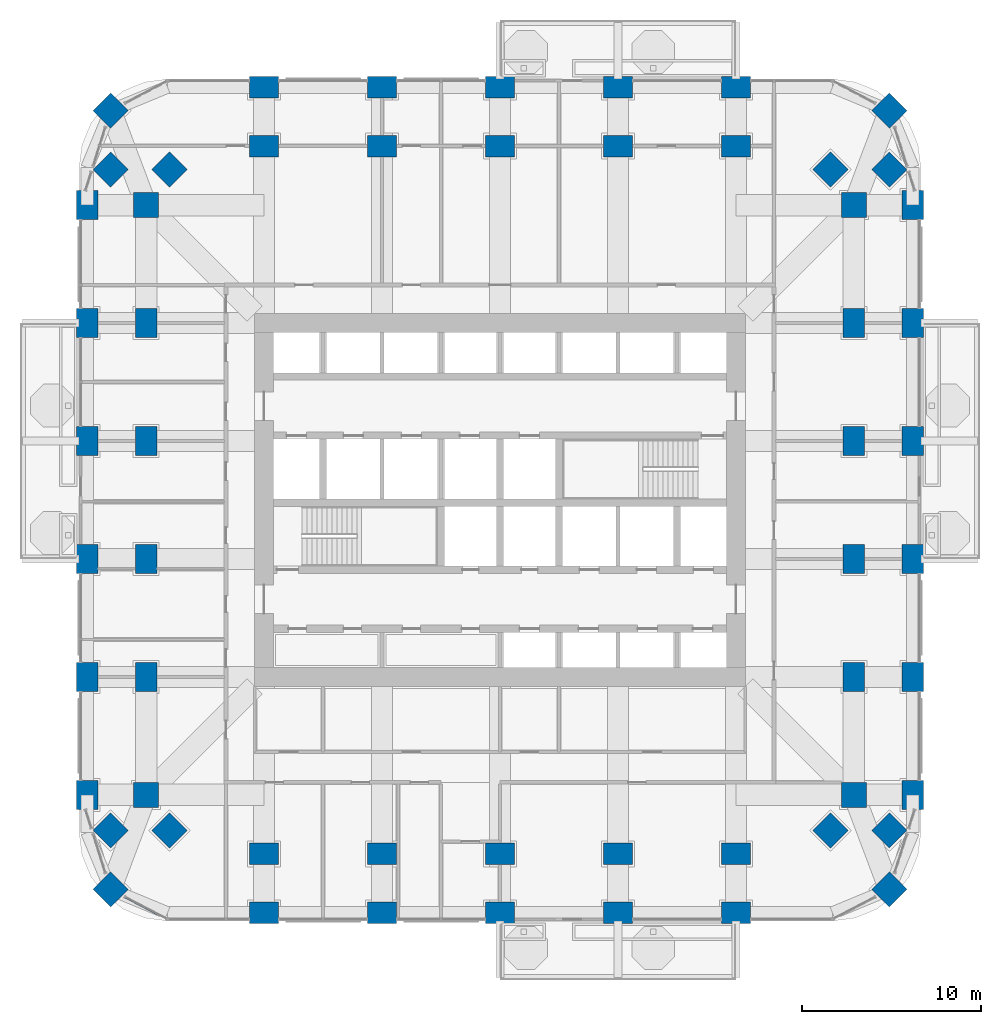
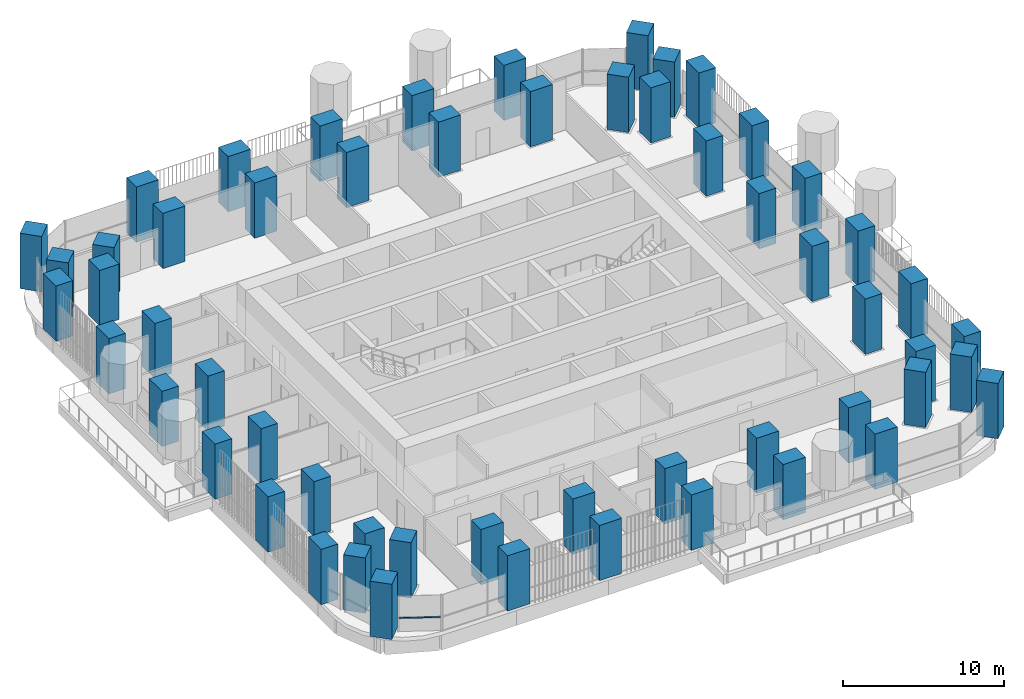
# One storey, part 1 of 21: 56 columns, 1 member, 1 element without a shape of its own.
"""IFC4 building model written with IfcOpenShell, lengths in metres."""

import ifcopenshell
import ifcopenshell.guid

model = None  # the IFC model being written
_history = None  # IfcOwnerHistory: only IFC2X3 demands one
_inside = {}  # id of a spatial element -> (the spatial element, [elements in it])
_under = {}  # id of a project, library or spatial element -> (it, [spatial elements below it])
_declared = {}  # id of a project -> (the project, [libraries it declares])
_typed = {}  # id of a type object -> (the type object, [elements of that type])
_made_of = {}  # id of a material, layer set ... -> (it, [elements and type objects made of it])


def new_model(schema):
    """Start an empty IFC model of exactly this schema.

    Asked for "IFC4X3", IfcOpenShell would pick the latest addendum, in which some entities
    have other attributes; the version numbers below select the first issue.
    IFC2X3 requires an IfcOwnerHistory on every rooted entity: one is made here for all.
    """
    global model, _history
    if schema == "IFC4X3":
        model = ifcopenshell.file(schema_version=(4, 3, 0, 0))
    else:
        model = ifcopenshell.file(schema=schema)
    _inside.clear()
    _under.clear()
    _declared.clear()
    _typed.clear()
    _made_of.clear()
    _history = None
    if model.schema == "IFC2X3":
        org = make("IfcOrganization", Name="unknown")
        user = make(
            "IfcPersonAndOrganization",
            ThePerson=make("IfcPerson", FamilyName="unknown"),
            TheOrganization=org,
        )
        app = make(
            "IfcApplication",
            ApplicationDeveloper=org,
            Version="unknown",
            ApplicationFullName="unknown",
            ApplicationIdentifier="unknown",
        )
        _history = make(
            "IfcOwnerHistory",
            OwningUser=user,
            OwningApplication=app,
            ChangeAction="ADDED",
            CreationDate=0,
        )
    return model


def make(cls, **values):
    """One entity of the class cls with the attributes given. An attribute that is None is left unset."""
    return model.create_entity(
        cls, **{name: value for name, value in values.items() if value is not None}
    )


def rooted(cls, **values):
    """An entity with a GlobalId (a new one), such as an element, a storey or a relation."""
    return make(cls, GlobalId=ifcopenshell.guid.new(), OwnerHistory=_history, **values)


def si_unit(unit_type, name, prefix=None):
    """IfcSIUnit, for example si_unit("LENGTHUNIT", "METRE", prefix="MILLI")."""
    return make("IfcSIUnit", UnitType=unit_type, Prefix=prefix, Name=name)


def assignment(units):
    """IfcUnitAssignment: the units of a project."""
    return None if units is None else make("IfcUnitAssignment", Units=units)


def point(xyz):
    """IfcCartesianPoint."""
    return None if xyz is None else make("IfcCartesianPoint", Coordinates=xyz)


def direction(xyz):
    """IfcDirection."""
    return None if xyz is None else make("IfcDirection", DirectionRatios=xyz)


def frame(location, z_axis=None, x_axis=None):
    """IfcAxis2Placement3D, a coordinate frame: its origin and axes. An axis left out is left unset."""
    return make(
        "IfcAxis2Placement3D",
        Location=point(location),
        Axis=direction(z_axis),
        RefDirection=direction(x_axis),
    )


def frame_2d(location, x_axis=None):
    """IfcAxis2Placement2D, a coordinate frame in the plane: its origin and x axis."""
    return make(
        "IfcAxis2Placement2D", Location=point(location), RefDirection=direction(x_axis)
    )


def origin():
    """The frame at (0, 0, 0) with its axes left unset."""
    return frame((0.0, 0.0, 0.0))


def origin_2d():
    """The frame at (0, 0) in the plane with its x axis left unset."""
    return frame_2d((0.0, 0.0))


def place(relative_to, where):
    """IfcLocalPlacement: puts the frame where relative to a parent placement (None: the world)."""
    return make(
        "IfcLocalPlacement", PlacementRelTo=relative_to, RelativePlacement=where
    )


def context(
    kind, dimensions, precision=None, world=None, true_north=None, identifier=None
):
    """IfcGeometricRepresentationContext, for example the 3D "Model" context."""
    return make(
        "IfcGeometricRepresentationContext",
        ContextIdentifier=identifier,
        ContextType=kind,
        CoordinateSpaceDimension=dimensions,
        Precision=precision,
        WorldCoordinateSystem=world,
        TrueNorth=true_north,
    )


def subcontext(parent, identifier, kind, view, scale=None):
    """IfcGeometricRepresentationSubContext, for example "Body" below "Model"."""
    return make(
        "IfcGeometricRepresentationSubContext",
        ContextIdentifier=identifier,
        ContextType=kind,
        ParentContext=parent,
        TargetScale=scale,
        TargetView=view,
    )


def project(units=None, contexts=None):
    """IfcProject with its units and contexts."""
    return rooted(
        "IfcProject",
        Name="project",
        RepresentationContexts=contexts,
        UnitsInContext=assignment(units),
    )


def spatial(cls, under=None, at=None, **own):
    """A site, building, storey or space (cls), placed at a placement, below another one or the project."""
    s = rooted(cls, ObjectPlacement=at, **own)
    if under is not None:
        _under.setdefault(under.id(), (under, []))[1].append(s)
    return s


def profile(cls, at=None, kind="AREA", **sizes):
    """A parametric profile (cls). Its sizes go by their IFC names, for example OverallWidth=200.0."""
    return make(cls, ProfileType=kind, Position=at, **sizes)


def rectangle(**sizes):
    """IfcRectangleProfileDef."""
    return profile("IfcRectangleProfileDef", **sizes)


def extrude(swept, where, along, depth):
    """IfcExtrudedAreaSolid: the profile swept, set in the frame where, extruded along a direction by depth."""
    return make(
        "IfcExtrudedAreaSolid",
        SweptArea=swept,
        Position=where,
        ExtrudedDirection=direction(along),
        Depth=depth,
    )


def shape(context_of_items, identifier, shape_type, items):
    """IfcShapeRepresentation: the items that make up one representation, for example the "Body"."""
    return make(
        "IfcShapeRepresentation",
        ContextOfItems=context_of_items,
        RepresentationIdentifier=identifier,
        RepresentationType=shape_type,
        Items=items,
    )


def material(Name=None, Category=None):
    """IfcMaterial."""
    return make("IfcMaterial", Name=Name, Category=Category)


def material_profile(
    of_material, cross_section, Name=None, Category=None, Priority=None
):
    """IfcMaterialProfile: a cross section and its material."""
    return make(
        "IfcMaterialProfile",
        Name=Name,
        Material=of_material,
        Profile=cross_section,
        Priority=Priority,
        Category=Category,
    )


def profile_set(profiles, Name=None, composite=None):
    """IfcMaterialProfileSet."""
    return make(
        "IfcMaterialProfileSet",
        Name=Name,
        MaterialProfiles=profiles,
        CompositeProfile=composite,
    )


def made_of(thing, what):
    """Note that an element or type object is made of a material, layer set ...; save() writes the relation."""
    if what is not None:
        _made_of.setdefault(what.id(), (what, []))[1].append(thing)
    return thing


def type_object(cls, material=None, **own):
    """A type object (cls), such as IfcWallType, which elements share."""
    return made_of(rooted(cls, **own), material)


def element(
    cls,
    number,
    at=None,
    inside=None,
    cuts=None,
    type_object=None,
    material=None,
    context=None,
    identifier="Body",
    shape_type=None,
    held_by="IfcProductDefinitionShape",
    body=None,
    shapes=None,
    **own,
):
    """One element of the class cls, such as IfcWall. Its Tag is "e" and its number.

    at: its placement. inside: the storey or other place that contains it. cuts: it is an
    opening in that element (IfcRelVoidsElement). A single representation is given by context,
    identifier, shape_type and body (its items); several are given by shapes. held_by: the class
    of the entity that holds the representations. save() writes the other relations.
    """
    e = rooted(cls, Tag="e%d" % number, ObjectPlacement=at, **own)
    if body is not None:
        shapes = [shape(context, identifier, shape_type, body)]
    if shapes is not None:
        e.Representation = make(held_by, Representations=shapes)
    if inside is not None:
        _inside.setdefault(inside.id(), (inside, []))[1].append(e)
    if cuts is not None:
        rooted(
            "IfcRelVoidsElement", RelatingBuildingElement=cuts, RelatedOpeningElement=e
        )
    if type_object is not None:
        _typed.setdefault(type_object.id(), (type_object, []))[1].append(e)
    return made_of(e, material)


def aggregate(whole, parts):
    """IfcRelAggregates: a whole, such as a stair, and the parts it consists of."""
    return rooted("IfcRelAggregates", RelatingObject=whole, RelatedObjects=parts)


def save(model, path):
    """Write the relations noted so far, then the file.

    IfcRelAggregates (storeys below a building ...), IfcRelContainedInSpatialStructure (elements
    in a storey), IfcRelDefinesByType, IfcRelAssociatesMaterial and IfcRelDeclares: one each for
    every whole, place, type object, material and project.
    """
    for whole, parts in _under.values():
        aggregate(whole, parts)
    for where, things in _inside.values():
        rooted(
            "IfcRelContainedInSpatialStructure",
            RelatedElements=things,
            RelatingStructure=where,
        )
    for kind, things in _typed.values():
        rooted("IfcRelDefinesByType", RelatedObjects=things, RelatingType=kind)
    for what, things in _made_of.values():
        rooted("IfcRelAssociatesMaterial", RelatedObjects=things, RelatingMaterial=what)
    for by, libraries in _declared.values():
        rooted("IfcRelDeclares", RelatingContext=by, RelatedDefinitions=libraries)
    model.write(path)


model = new_model("IFC4")

# Units and contexts
model_context = context("Model", 3, precision=1e-05, world=origin(), true_north=direction((0.0, 1.0)))
body_context = subcontext(model_context, "Body", "Model", "MODEL_VIEW")
ifc_project = project(units=[si_unit("LENGTHUNIT", "METRE"), si_unit("AREAUNIT", "SQUARE_METRE"), si_unit("VOLUMEUNIT", "CUBIC_METRE"), si_unit("PLANEANGLEUNIT", "RADIAN"), si_unit("MASSUNIT", "GRAM", prefix="KILO")], contexts=[model_context])

# Site, building, storey
site_placement = place(None, origin())
site = spatial("IfcSite", under=ifc_project, at=site_placement, CompositionType="ELEMENT")
building_placement = place(site_placement, origin())
building = spatial("IfcBuilding", under=site, at=building_placement, Name="Cobogo Forest Laboratory Tower", CompositionType="ELEMENT")
storey_placement = place(building_placement, frame((0.0, 0.0, 86.39990234375)))
storey = spatial("IfcBuildingStorey", under=building, at=storey_placement, Name="L19", CompositionType="ELEMENT", Elevation=86.39990234375)

# Columns
ifc_material_1 = material(Name="Concrete HA-50 (C50/60)", Category="concrete")
ifc_material_profile_1 = material_profile(ifc_material_1, rectangle(XDim=1.60009765625, YDim=1.199951171875, at=origin_2d()), Name="RC 1200x1600")
ifc_profile_set_1 = profile_set([ifc_material_profile_1], Name="Concrete HA-50 (C50/60)")
column_type_1 = type_object("IfcColumnType", Name="Blade column 1200x1600", PredefinedType="COLUMN", material=ifc_profile_set_1)
for number, where, z_axis, x_axis, name in (
    (1, (13.199951171875, 0.0, 0.0), (0.0, 0.0, 1.0), (1.0, 0.0, 0.0), "Column 3-A L19"),
    (2, (19.800048828125, 0.0, 0.0), (0.0, 0.0, 1.0), (1.0, 0.0, 0.0), "Column 4-A L19"),
    (3, (26.39990234375, 0.0, 0.0), (0.0, 0.0, 1.0), (1.0, 0.0, 0.0), "Column 5-A L19"),
    (4, (33.0, 0.0, 0.0), (0.0, 0.0, 1.0), (1.0, 0.0, 0.0), "Column 6-A L19"),
    (5, (39.60009765625, 0.0, 0.0), (0.0, 0.0, 1.0), (1.0, 0.0, 0.0), "Column 7-A L19"),
    (6, (3.300048828125, 6.60009765625, 0.0), (0.0, 0.0, 1.0), (0.0, 1.0, 0.0), "Column 1.1-B L19"),
    (7, (49.5, 6.60009765625, 0.0), (0.0, 0.0, 1.0), (0.0, 1.0, 0.0), "Column 8.1-B L19"),
    (8, (3.300048828125, 13.199951171875, 0.0), (0.0, 0.0, 1.0), (0.0, 1.0, 0.0), "Column 1.1-C L19"),
    (9, (49.5, 13.199951171875, 0.0), (0.0, 0.0, 1.0), (0.0, 1.0, 0.0), "Column 8.1-C L19"),
    (10, (3.300048828125, 19.800048828125, 0.0), (0.0, 0.0, 1.0), (0.0, 1.0, 0.0), "Column 1.1-D L19"),
    (11, (49.5, 19.800048828125, 0.0), (0.0, 0.0, 1.0), (0.0, 1.0, 0.0), "Column 8.1-D L19"),
    (12, (3.300048828125, 26.39990234375, 0.0), (0.0, 0.0, 1.0), (0.0, 1.0, 0.0), "Column 1.1-E L19"),
    (13, (49.5, 26.39990234375, 0.0), (0.0, 0.0, 1.0), (0.0, 1.0, 0.0), "Column 8.1-E L19"),
    (14, (3.300048828125, 33.0, 0.0), (0.0, 0.0, 1.0), (0.0, 1.0, 0.0), "Column 1.1-F L19"),
    (15, (49.5, 33.0, 0.0), (0.0, 0.0, 1.0), (0.0, 1.0, 0.0), "Column 8.1-F L19"),
    (16, (3.300048828125, 39.60009765625, 0.0), (0.0, 0.0, 1.0), (0.0, 1.0, 0.0), "Column 1.1-G L19"),
    (17, (49.5, 39.60009765625, 0.0), (0.0, 0.0, 1.0), (0.0, 1.0, 0.0), "Column 8.1-G L19"),
    (18, (13.199951171875, 46.199951171875, 0.0), (0.0, 0.0, 1.0), (1.0, 0.0, 0.0), "Column 3-H L19"),
    (19, (19.800048828125, 46.199951171875, 0.0), (0.0, 0.0, 1.0), (1.0, 0.0, 0.0), "Column 4-H L19"),
    (20, (26.39990234375, 46.199951171875, 0.0), (0.0, 0.0, 1.0), (1.0, 0.0, 0.0), "Column 5-H L19"),
    (21, (33.0, 46.199951171875, 0.0), (0.0, 0.0, 1.0), (1.0, 0.0, 0.0), "Column 6-H L19"),
    (22, (39.60009765625, 46.199951171875, 0.0), (0.0, 0.0, 1.0), (1.0, 0.0, 0.0), "Column 7-H L19"),
    (23, (13.199951171875, 3.300048828125, 0.0), (0.0, 0.0, 1.0), (1.0, 0.0, 0.0), "Column 3-A.1-C L19"),
    (24, (19.800048828125, 3.300048828125, 0.0), (0.0, 0.0, 1.0), (1.0, 0.0, 0.0), "Column 4-A.1-C L19"),
    (25, (26.39990234375, 3.300048828125, 0.0), (0.0, 0.0, 1.0), (1.0, 0.0, 0.0), "Column 5-A.1-C L19"),
    (26, (33.0, 3.300048828125, 0.0), (0.0, 0.0, 1.0), (1.0, 0.0, 0.0), "Column 6-A.1-C L19"),
    (27, (39.60009765625, 3.300048828125, 0.0), (0.0, 0.0, 1.0), (1.0, 0.0, 0.0), "Column 7-A.1-C L19"),
    (28, (13.199951171875, 42.89990234375, 0.0), (0.0, 0.0, 1.0), (1.0, 0.0, 0.0), "Column 3-G.1-C L19"),
    (29, (19.800048828125, 42.89990234375, 0.0), (0.0, 0.0, 1.0), (1.0, 0.0, 0.0), "Column 4-G.1-C L19"),
    (30, (26.39990234375, 42.89990234375, 0.0), (0.0, 0.0, 1.0), (1.0, 0.0, 0.0), "Column 5-G.1-C L19"),
    (31, (33.0, 42.89990234375, 0.0), (0.0, 0.0, 1.0), (1.0, 0.0, 0.0), "Column 6-G.1-C L19"),
    (32, (39.60009765625, 42.89990234375, 0.0), (0.0, 0.0, 1.0), (1.0, 0.0, 0.0), "Column 7-G.1-C L19"),
    (33, (6.60009765625, 13.199951171875, 0.0), (0.0, 0.0, 1.0), (0.0, 1.0, 0.0), "Column 2-C-D L19"),
    (34, (46.199951171875, 13.199951171875, 0.0), (0.0, 0.0, 1.0), (0.0, 1.0, 0.0), "Column 8-C-D L19"),
    (35, (6.60009765625, 19.800048828125, 0.0), (0.0, 0.0, 1.0), (0.0, 1.0, 0.0), "Column 2-D-D L19"),
    (36, (46.199951171875, 19.800048828125, 0.0), (0.0, 0.0, 1.0), (0.0, 1.0, 0.0), "Column 8-D-D L19"),
    (37, (6.60009765625, 26.39990234375, 0.0), (0.0, 0.0, 1.0), (0.0, 1.0, 0.0), "Column 2-E-D L19"),
    (38, (46.199951171875, 26.39990234375, 0.0), (0.0, 0.0, 1.0), (0.0, 1.0, 0.0), "Column 8-E-D L19"),
    (39, (6.60009765625, 33.0, 0.0), (0.0, 0.0, 1.0), (0.0, 1.0, 0.0), "Column 2-F-D L19"),
    (40, (46.199951171875, 33.0, 0.0), (0.0, 0.0, 1.0), (0.0, 1.0, 0.0), "Column 8-F-D L19"),
):
    element("IfcColumn", number, at=place(storey_placement, frame(where, z_axis=z_axis, x_axis=x_axis)), inside=storey, type_object=column_type_1, Name=name, PredefinedType="COLUMN", context=body_context, shape_type="SweptSolid", body=[
        extrude(rectangle(XDim=1.60009765625, YDim=1.199951171875, at=origin_2d()), origin(), (0.0, 0.0, 1.0), 4.2001953125),
    ])
ifc_material_profile_2 = material_profile(ifc_material_1, rectangle(XDim=1.39990234375, YDim=1.39990234375, at=origin_2d()), Name="RC 1400x1400")
ifc_profile_set_2 = profile_set([ifc_material_profile_2], Name="Concrete HA-50 (C50/60)")
column_type_2 = type_object("IfcColumnType", Name="Column 1400x1400", PredefinedType="COLUMN", material=ifc_profile_set_2)
for number, where, z_axis, x_axis, name in (
    (41, (4.617919921875, 1.318115234375, 0.0), (0.0, 0.0, 1.0), (0.707106781187, 0.707106781187, 0.0), "Column CNR-SW L19"),
    (42, (48.181884765625, 1.318115234375, 0.0), (0.0, 0.0, 1.0), (0.707106781187, 0.707106781187, 0.0), "Column CNR-SE L19"),
    (43, (4.617919921875, 44.882080078125, 0.0), (0.0, 0.0, 1.0), (0.707106781187, 0.707106781187, 0.0), "Column CNR-NW L19"),
    (44, (48.181884765625, 44.882080078125, 0.0), (0.0, 0.0, 1.0), (0.707106781187, 0.707106781187, 0.0), "Column CNR-NE L19"),
    (45, (6.60009765625, 6.60009765625, 0.0), (0.0, 0.0, 1.0), (1.0, 0.0, 0.0), "Column 2-B L19"),
    (46, (46.199951171875, 6.60009765625, 0.0), (0.0, 0.0, 1.0), (1.0, 0.0, 0.0), "Column 8-B L19"),
    (47, (6.60009765625, 39.60009765625, 0.0), (0.0, 0.0, 1.0), (1.0, 0.0, 0.0), "Column 2-G L19"),
    (48, (46.199951171875, 39.60009765625, 0.0), (0.0, 0.0, 1.0), (1.0, 0.0, 0.0), "Column 8-G L19"),
    (49, (4.617919921875, 4.617919921875, 0.0), (0.0, 0.0, 1.0), (0.707106781187, 0.707106781187, 0.0), "Column CNR-SW-C L19"),
    (50, (48.181884765625, 4.617919921875, 0.0), (0.0, 0.0, 1.0), (0.707106781187, 0.707106781187, 0.0), "Column CNR-SE-C L19"),
    (51, (4.617919921875, 41.58203125, 0.0), (0.0, 0.0, 1.0), (0.707106781187, 0.707106781187, 0.0), "Column CNR-NW-C L19"),
    (52, (48.181884765625, 41.58203125, 0.0), (0.0, 0.0, 1.0), (0.707106781187, 0.707106781187, 0.0), "Column CNR-NE-C L19"),
    (53, (7.91796875, 4.617919921875, 0.0), (0.0, 0.0, 1.0), (0.707106781187, 0.707106781187, 0.0), "Column CNR-SW-D L19"),
    (54, (44.882080078125, 4.617919921875, 0.0), (0.0, 0.0, 1.0), (0.707106781187, 0.707106781187, 0.0), "Column CNR-SE-D L19"),
    (55, (7.91796875, 41.58203125, 0.0), (0.0, 0.0, 1.0), (0.707106781187, 0.707106781187, 0.0), "Column CNR-NW-D L19"),
    (56, (44.882080078125, 41.58203125, 0.0), (0.0, 0.0, 1.0), (0.707106781187, 0.707106781187, 0.0), "Column CNR-NE-D L19"),
):
    element("IfcColumn", number, at=place(storey_placement, frame(where, z_axis=z_axis, x_axis=x_axis)), inside=storey, type_object=column_type_2, Name=name, PredefinedType="COLUMN", context=body_context, shape_type="SweptSolid", body=[
        extrude(rectangle(XDim=1.39990234375, YDim=1.39990234375, at=origin_2d()), origin(), (0.0, 0.0, 1.0), 4.2001953125),
    ])

# Curtain wall, member
ifc_material_2 = material(Name="Aluminium curtain wall", Category="aluminium")
curtain_wall_type = type_object("IfcCurtainWallType", Name="CW-1 unitised curtain wall, clear glazing, laboratory floors zones A and B", PredefinedType="USERDEFINED", material=ifc_material_2)
curtain_wall_placement = place(storey_placement, origin())
curtain_wall = element("IfcCurtainWall", 57, at=curtain_wall_placement, inside=storey, type_object=curtain_wall_type, Name="Curtain wall 34 L19", ObjectType="UNITISED CURTAIN WALL", PredefinedType="USERDEFINED")
ifc_material_3 = material(Name="Aluminium transom", Category="aluminium")
ifc_material_profile_3 = material_profile(ifc_material_3, rectangle(XDim=0.1201171875, YDim=0.06005859375, at=origin_2d()), Name="AL 60x120")
ifc_profile_set_3 = profile_set([ifc_material_profile_3], Name="Aluminium transom")
member_type = type_object("IfcMemberType", Name="TR-1 aluminium transom 60x120", PredefinedType="USERDEFINED", material=ifc_profile_set_3)
member_placement = place(storey_placement, frame((5.441162109375, 0.886474609375, 1.050048828125), z_axis=(0.885710351562, -0.464238271943, 0.0), x_axis=(0.464238271943, 0.885710351562, 0.0)))
member = element("IfcMember", 58, at=member_placement, type_object=member_type, Name="CW-1 transom 1.1", ObjectType="TRANSOM", PredefinedType="USERDEFINED", context=body_context, shape_type="SweptSolid", body=[
    extrude(rectangle(XDim=0.1201171875, YDim=0.06005859375, at=origin_2d()), origin(), (0.0, 0.0, 1.0), 2.603271484375),
])
aggregate(curtain_wall, [member])

save(model, "model.ifc")
